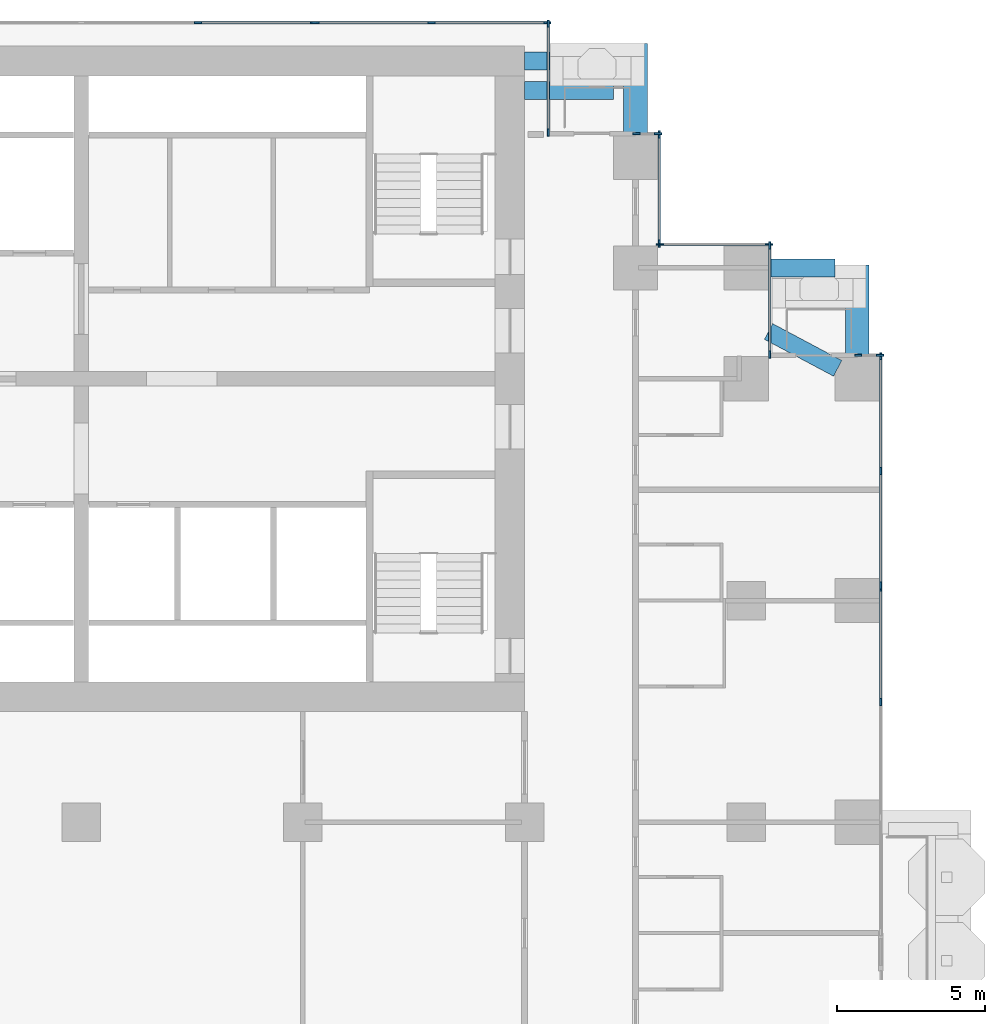
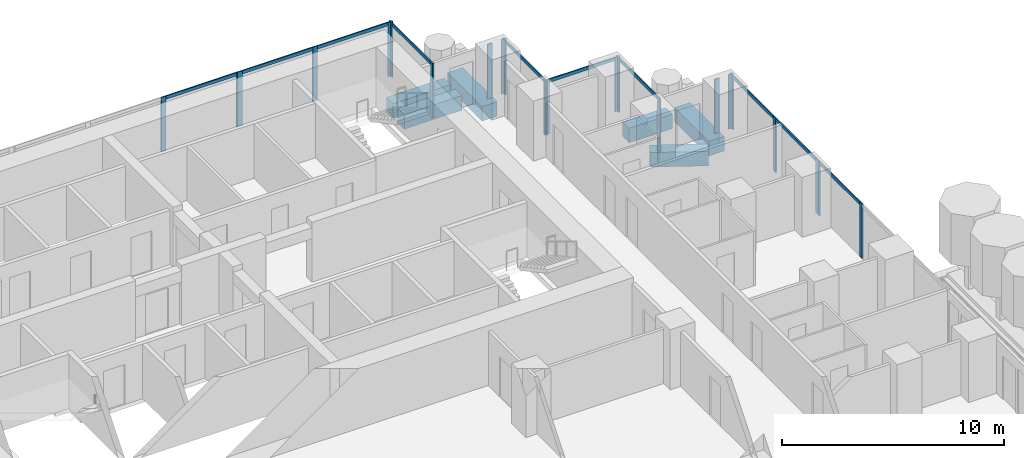
# One storey, part 6 of 19: 32 members, 6 beams, 10 elements without a shape of their own.
"""IFC4 building model written with IfcOpenShell, lengths in metres."""

from ifc_helpers import new_model, si_unit, direction, frame, origin, origin_2d, place, context, subcontext, project, spatial, rectangle, extrude, material, material_profile, profile_set, type_object, element, aggregate, save


model = new_model("IFC4")

# Units and contexts
model_context = context("Model", 3, precision=1e-05, world=origin(), true_north=direction((0.0, 1.0)))
body_context = subcontext(model_context, "Body", "Model", "MODEL_VIEW")
ifc_project = project(units=[si_unit("LENGTHUNIT", "METRE"), si_unit("AREAUNIT", "SQUARE_METRE"), si_unit("VOLUMEUNIT", "CUBIC_METRE"), si_unit("PLANEANGLEUNIT", "RADIAN"), si_unit("MASSUNIT", "GRAM", prefix="KILO")], contexts=[model_context])

# Site, building, storey
site_placement = place(None, origin())
site = spatial("IfcSite", under=ifc_project, at=site_placement, CompositionType="ELEMENT")
building_placement = place(site_placement, origin())
building = spatial("IfcBuilding", under=site, at=building_placement, Name="Pilkhan Gate Tower", CompositionType="ELEMENT")
storey_placement = place(building_placement, frame((0.0, 0.0, 95.60009765625)))
storey = spatial("IfcBuildingStorey", under=building, at=storey_placement, Name="L23", CompositionType="ELEMENT", Elevation=95.60009765625)

# Beams
ifc_material_1 = material(Name="Concrete C50/60", Category="concrete")
ifc_material_profile_1 = material_profile(ifc_material_1, rectangle(XDim=0.60009765625, YDim=0.800048828125, at=origin_2d()), Name="RC 600x800")
ifc_profile_set_1 = profile_set([ifc_material_profile_1], Name="Concrete C50/60")
beam_type_1 = type_object("IfcBeamType", Name="Cantilever beam CB1 RC 600x800 C50/60", PredefinedType="BEAM", material=ifc_profile_set_1)
for number, where, z_axis, x_axis, name in (
    (1, (90.0, 93.25, -0.7001953125), (1.0, 0.0, 0.0), (0.0, 1.0, 0.0), "Balcony beam NE.2 L23"),
    (2, (90.0, 92.25, -0.7001953125), (1.0, 0.0, 0.0), (0.0, 1.0, 0.0), "Balcony beam NE.3 L23"),
):
    element("IfcBeam", number, at=place(storey_placement, frame(where, z_axis=z_axis, x_axis=x_axis)), inside=storey, type_object=beam_type_1, Name=name, PredefinedType="BEAM", context=body_context, shape_type="SweptSolid", body=[
        extrude(rectangle(XDim=0.60009765625, YDim=0.800048828125, at=origin_2d()), origin(), (0.0, 0.0, 1.0), 3.0),
    ])
beam_1_placement = place(storey_placement, frame((98.25, 86.25, -0.7001953125), z_axis=(1.0, 0.0, 0.0), x_axis=(0.0, 1.0, 0.0)))
element("IfcBeam", 3, at=beam_1_placement, inside=storey, type_object=beam_type_1, Name="Balcony beam NE2.2 L23", PredefinedType="BEAM", context=body_context, shape_type="SweptSolid", body=[
    extrude(rectangle(XDim=0.60009765625, YDim=0.800048828125, at=origin_2d()), origin(), (0.0, 0.0, 1.0), 2.25),
])
beam_2_placement = place(storey_placement, frame((100.588134765625, 82.85302734375, -0.7001953125), z_axis=(-0.882342739565, 0.470607362817, 0.0), x_axis=(-0.470607362817, -0.882342739565, 0.0)))
element("IfcBeam", 4, at=beam_2_placement, inside=storey, type_object=beam_type_1, Name="Balcony beam NE2.3 L23", PredefinedType="BEAM", context=body_context, shape_type="SweptSolid", body=[
    extrude(rectangle(XDim=0.60009765625, YDim=0.800048828125, at=origin_2d()), origin(), (0.0, 0.0, 1.0), 2.64990234375),
])
ifc_material_profile_2 = material_profile(ifc_material_1, rectangle(XDim=0.800048828125, YDim=0.800048828125, at=origin_2d()), Name="RC 800x800")
ifc_profile_set_2 = profile_set([ifc_material_profile_2], Name="Concrete C50/60")
beam_type_2 = type_object("IfcBeamType", Name="Cantilever beam CB2 RC 800x800 C50/60", PredefinedType="BEAM", material=ifc_profile_set_2)
for number, where, z_axis, x_axis, name in (
    (5, (93.75, 90.75, -0.7001953125), (0.0, 1.0, 0.0), (-1.0, 0.0, 0.0), "Balcony beam NE.1 L23"),
    (6, (101.25, 83.25, -0.7001953125), (0.0, 1.0, 0.0), (-1.0, 0.0, 0.0), "Balcony beam NE2.1 L23"),
):
    element("IfcBeam", number, at=place(storey_placement, frame(where, z_axis=z_axis, x_axis=x_axis)), inside=storey, type_object=beam_type_2, Name=name, PredefinedType="BEAM", context=body_context, shape_type="SweptSolid", body=[
        extrude(rectangle(XDim=0.800048828125, YDim=0.800048828125, at=origin_2d()), origin(), (0.0, 0.0, 1.0), 3.10009765625),
    ])

# Curtain wall, members
ifc_material_2 = material(Name="Pale anodised aluminium, clear low-iron double glazing", Category="aluminium")
curtain_wall_type = type_object("IfcCurtainWallType", Name="Hotel unitised curtain wall CW-H", PredefinedType="USERDEFINED", material=ifc_material_2)
curtain_wall_1_placement = place(storey_placement, origin())
curtain_wall_1 = element("IfcCurtainWall", 7, at=curtain_wall_1_placement, inside=storey, type_object=curtain_wall_type, Name="Hotel unitised curtain wall CW-H L23 E", ObjectType="UNITISED CURTAIN WALL", PredefinedType="USERDEFINED")
ifc_material_3 = material(Name="Pale anodised aluminium", Category="aluminium")
ifc_material_profile_3 = material_profile(ifc_material_3, rectangle(XDim=0.06494140625, YDim=0.25, at=origin_2d()), Name="Mullion 250x65")
ifc_profile_set_3 = profile_set([ifc_material_profile_3], Name="Pale anodised aluminium")
member_type_1 = type_object("IfcMemberType", Name="Mullion CW-H 250x65", PredefinedType="MULLION", material=ifc_profile_set_3)
member_1_placement = place(storey_placement, frame((102.044921875, 71.568115234375, 0.0), z_axis=(0.0, 0.0, 1.0), x_axis=(-1.0, 0.0, 0.0)))
member_1 = element("IfcMember", 8, at=member_1_placement, type_object=member_type_1, Name="CW-H mullion 3", PredefinedType="MULLION", context=body_context, shape_type="SweptSolid", body=[
    extrude(rectangle(XDim=0.06494140625, YDim=0.25, at=origin_2d()), origin(), (0.0, 0.0, 1.0), 3.0),
])
member_2_placement = place(storey_placement, frame((102.044921875, 75.444580078125, 0.0), z_axis=(0.0, 0.0, 1.0), x_axis=(-1.0, 0.0, 0.0)))
member_2 = element("IfcMember", 9, at=member_2_placement, type_object=member_type_1, Name="CW-H mullion 4", PredefinedType="MULLION", context=body_context, shape_type="SweptSolid", body=[
    extrude(rectangle(XDim=0.06494140625, YDim=0.25, at=origin_2d()), origin(), (0.0, 0.0, 1.0), 3.0),
])

curtain_wall_2_placement = place(storey_placement, origin())
curtain_wall_2 = element("IfcCurtainWall", 10, at=curtain_wall_2_placement, inside=storey, type_object=curtain_wall_type, Name="Hotel unitised curtain wall CW-H L23 E", ObjectType="UNITISED CURTAIN WALL", PredefinedType="USERDEFINED")
member_3_placement = place(storey_placement, frame((102.044921875, 75.509521484375, 0.0), z_axis=(0.0, 0.0, 1.0), x_axis=(-1.0, 0.0, 0.0)))
member_3 = element("IfcMember", 11, at=member_3_placement, type_object=member_type_1, Name="CW-H mullion 1", PredefinedType="MULLION", context=body_context, shape_type="SweptSolid", body=[
    extrude(rectangle(XDim=0.06494140625, YDim=0.25, at=origin_2d()), origin(), (0.0, 0.0, 1.0), 3.0),
])
member_4_placement = place(storey_placement, frame((102.044921875, 79.385986328125, 0.0), z_axis=(0.0, 0.0, 1.0), x_axis=(-1.0, 0.0, 0.0)))
member_4 = element("IfcMember", 12, at=member_4_placement, type_object=member_type_1, Name="CW-H mullion 2", PredefinedType="MULLION", context=body_context, shape_type="SweptSolid", body=[
    extrude(rectangle(XDim=0.06494140625, YDim=0.25, at=origin_2d()), origin(), (0.0, 0.0, 1.0), 3.0),
])
member_5_placement = place(storey_placement, frame((102.044921875, 83.262451171875, 0.0), z_axis=(0.0, 0.0, 1.0), x_axis=(-1.0, 0.0, 0.0)))
member_5 = element("IfcMember", 13, at=member_5_placement, type_object=member_type_1, Name="CW-H mullion 3", PredefinedType="MULLION", context=body_context, shape_type="SweptSolid", body=[
    extrude(rectangle(XDim=0.06494140625, YDim=0.25, at=origin_2d()), origin(), (0.0, 0.0, 1.0), 3.0),
])

curtain_wall_3_placement = place(storey_placement, origin())
curtain_wall_3 = element("IfcCurtainWall", 14, at=curtain_wall_3_placement, inside=storey, type_object=curtain_wall_type, Name="Hotel unitised curtain wall CW-H L23 N", ObjectType="UNITISED CURTAIN WALL", PredefinedType="USERDEFINED")
member_6_placement = place(storey_placement, frame((101.282470703125, 83.294921875, 0.0), z_axis=(0.0, 0.0, 1.0), x_axis=(0.0, 1.0, 0.0)))
member_6 = element("IfcMember", 15, at=member_6_placement, type_object=member_type_1, Name="CW-H mullion 1", PredefinedType="MULLION", context=body_context, shape_type="SweptSolid", body=[
    extrude(rectangle(XDim=0.06494140625, YDim=0.25, at=origin_2d()), origin(), (0.0, 0.0, 1.0), 3.0),
])
member_7_placement = place(storey_placement, frame((102.012451171875, 83.294921875, 0.0), z_axis=(0.0, 0.0, 1.0), x_axis=(0.0, 1.0, 0.0)))
member_7 = element("IfcMember", 16, at=member_7_placement, type_object=member_type_1, Name="CW-H mullion 2", PredefinedType="MULLION", context=body_context, shape_type="SweptSolid", body=[
    extrude(rectangle(XDim=0.06494140625, YDim=0.25, at=origin_2d()), origin(), (0.0, 0.0, 1.0), 3.0),
])
aggregate(curtain_wall_3, [member_6, member_7])

curtain_wall_4_placement = place(storey_placement, origin())
curtain_wall_4 = element("IfcCurtainWall", 17, at=curtain_wall_4_placement, inside=storey, type_object=curtain_wall_type, Name="Hotel unitised curtain wall CW-H L23 E", ObjectType="UNITISED CURTAIN WALL", PredefinedType="USERDEFINED")
member_8_placement = place(storey_placement, frame((98.294921875, 83.327392578125, 0.0), z_axis=(0.0, 0.0, 1.0), x_axis=(-1.0, 0.0, 0.0)))
member_8 = element("IfcMember", 18, at=member_8_placement, type_object=member_type_1, Name="CW-H mullion 1", PredefinedType="MULLION", context=body_context, shape_type="SweptSolid", body=[
    extrude(rectangle(XDim=0.06494140625, YDim=0.25, at=origin_2d()), origin(), (0.0, 0.0, 1.0), 3.0),
])
member_9_placement = place(storey_placement, frame((98.294921875, 87.012451171875, 0.0), z_axis=(0.0, 0.0, 1.0), x_axis=(-1.0, 0.0, 0.0)))
member_9 = element("IfcMember", 19, at=member_9_placement, type_object=member_type_1, Name="CW-H mullion 2", PredefinedType="MULLION", context=body_context, shape_type="SweptSolid", body=[
    extrude(rectangle(XDim=0.06494140625, YDim=0.25, at=origin_2d()), origin(), (0.0, 0.0, 1.0), 3.0),
])

curtain_wall_5_placement = place(storey_placement, origin())
curtain_wall_5 = element("IfcCurtainWall", 20, at=curtain_wall_5_placement, inside=storey, type_object=curtain_wall_type, Name="Hotel unitised curtain wall CW-H L23 N", ObjectType="UNITISED CURTAIN WALL", PredefinedType="USERDEFINED")
member_10_placement = place(storey_placement, frame((94.577392578125, 87.044921875, 0.0), z_axis=(0.0, 0.0, 1.0), x_axis=(0.0, 1.0, 0.0)))
member_10 = element("IfcMember", 21, at=member_10_placement, type_object=member_type_1, Name="CW-H mullion 1", PredefinedType="MULLION", context=body_context, shape_type="SweptSolid", body=[
    extrude(rectangle(XDim=0.06494140625, YDim=0.25, at=origin_2d()), origin(), (0.0, 0.0, 1.0), 3.0),
])
member_11_placement = place(storey_placement, frame((98.262451171875, 87.044921875, 0.0), z_axis=(0.0, 0.0, 1.0), x_axis=(0.0, 1.0, 0.0)))
member_11 = element("IfcMember", 22, at=member_11_placement, type_object=member_type_1, Name="CW-H mullion 2", PredefinedType="MULLION", context=body_context, shape_type="SweptSolid", body=[
    extrude(rectangle(XDim=0.06494140625, YDim=0.25, at=origin_2d()), origin(), (0.0, 0.0, 1.0), 3.0),
])

curtain_wall_6_placement = place(storey_placement, origin())
curtain_wall_6 = element("IfcCurtainWall", 23, at=curtain_wall_6_placement, inside=storey, type_object=curtain_wall_type, Name="Hotel unitised curtain wall CW-H L23 E", ObjectType="UNITISED CURTAIN WALL", PredefinedType="USERDEFINED")
member_12_placement = place(storey_placement, frame((94.544921875, 87.077392578125, 0.0), z_axis=(0.0, 0.0, 1.0), x_axis=(-1.0, 0.0, 0.0)))
member_12 = element("IfcMember", 24, at=member_12_placement, type_object=member_type_1, Name="CW-H mullion 1", PredefinedType="MULLION", context=body_context, shape_type="SweptSolid", body=[
    extrude(rectangle(XDim=0.06494140625, YDim=0.25, at=origin_2d()), origin(), (0.0, 0.0, 1.0), 3.0),
])
member_13_placement = place(storey_placement, frame((94.544921875, 90.762451171875, 0.0), z_axis=(0.0, 0.0, 1.0), x_axis=(-1.0, 0.0, 0.0)))
member_13 = element("IfcMember", 25, at=member_13_placement, type_object=member_type_1, Name="CW-H mullion 2", PredefinedType="MULLION", context=body_context, shape_type="SweptSolid", body=[
    extrude(rectangle(XDim=0.06494140625, YDim=0.25, at=origin_2d()), origin(), (0.0, 0.0, 1.0), 3.0),
])

curtain_wall_7_placement = place(storey_placement, origin())
curtain_wall_7 = element("IfcCurtainWall", 26, at=curtain_wall_7_placement, inside=storey, type_object=curtain_wall_type, Name="Hotel unitised curtain wall CW-H L23 N", ObjectType="UNITISED CURTAIN WALL", PredefinedType="USERDEFINED")
member_14_placement = place(storey_placement, frame((93.782470703125, 90.794921875, 0.0), z_axis=(0.0, 0.0, 1.0), x_axis=(0.0, 1.0, 0.0)))
member_14 = element("IfcMember", 27, at=member_14_placement, type_object=member_type_1, Name="CW-H mullion 1", PredefinedType="MULLION", context=body_context, shape_type="SweptSolid", body=[
    extrude(rectangle(XDim=0.06494140625, YDim=0.25, at=origin_2d()), origin(), (0.0, 0.0, 1.0), 3.0),
])
member_15_placement = place(storey_placement, frame((94.512451171875, 90.794921875, 0.0), z_axis=(0.0, 0.0, 1.0), x_axis=(0.0, 1.0, 0.0)))
member_15 = element("IfcMember", 28, at=member_15_placement, type_object=member_type_1, Name="CW-H mullion 2", PredefinedType="MULLION", context=body_context, shape_type="SweptSolid", body=[
    extrude(rectangle(XDim=0.06494140625, YDim=0.25, at=origin_2d()), origin(), (0.0, 0.0, 1.0), 3.0),
])
aggregate(curtain_wall_7, [member_14, member_15])

curtain_wall_8_placement = place(storey_placement, origin())
curtain_wall_8 = element("IfcCurtainWall", 29, at=curtain_wall_8_placement, inside=storey, type_object=curtain_wall_type, Name="Hotel unitised curtain wall CW-H L23 E", ObjectType="UNITISED CURTAIN WALL", PredefinedType="USERDEFINED")
member_16_placement = place(storey_placement, frame((90.794921875, 90.827392578125, 0.0), z_axis=(0.0, 0.0, 1.0), x_axis=(-1.0, 0.0, 0.0)))
member_16 = element("IfcMember", 30, at=member_16_placement, type_object=member_type_1, Name="CW-H mullion 1", PredefinedType="MULLION", context=body_context, shape_type="SweptSolid", body=[
    extrude(rectangle(XDim=0.06494140625, YDim=0.25, at=origin_2d()), origin(), (0.0, 0.0, 1.0), 3.0),
])
member_17_placement = place(storey_placement, frame((90.794921875, 94.512451171875, 0.0), z_axis=(0.0, 0.0, 1.0), x_axis=(-1.0, 0.0, 0.0)))
member_17 = element("IfcMember", 31, at=member_17_placement, type_object=member_type_1, Name="CW-H mullion 2", PredefinedType="MULLION", context=body_context, shape_type="SweptSolid", body=[
    extrude(rectangle(XDim=0.06494140625, YDim=0.25, at=origin_2d()), origin(), (0.0, 0.0, 1.0), 3.0),
])

curtain_wall_9_placement = place(storey_placement, origin())
curtain_wall_9 = element("IfcCurtainWall", 32, at=curtain_wall_9_placement, inside=storey, type_object=curtain_wall_type, Name="Hotel unitised curtain wall CW-H L23 N", ObjectType="UNITISED CURTAIN WALL", PredefinedType="USERDEFINED")
member_18_placement = place(storey_placement, frame((78.94873046875, 94.544921875, 0.0), z_axis=(0.0, 0.0, 1.0), x_axis=(0.0, 1.0, 0.0)))
member_18 = element("IfcMember", 33, at=member_18_placement, type_object=member_type_1, Name="CW-H mullion 3", PredefinedType="MULLION", context=body_context, shape_type="SweptSolid", body=[
    extrude(rectangle(XDim=0.06494140625, YDim=0.25, at=origin_2d()), origin(), (0.0, 0.0, 1.0), 3.0),
])
member_19_placement = place(storey_placement, frame((82.864990234375, 94.544921875, 0.0), z_axis=(0.0, 0.0, 1.0), x_axis=(0.0, 1.0, 0.0)))
member_19 = element("IfcMember", 34, at=member_19_placement, type_object=member_type_1, Name="CW-H mullion 4", PredefinedType="MULLION", context=body_context, shape_type="SweptSolid", body=[
    extrude(rectangle(XDim=0.06494140625, YDim=0.25, at=origin_2d()), origin(), (0.0, 0.0, 1.0), 3.0),
])

curtain_wall_10_placement = place(storey_placement, origin())
curtain_wall_10 = element("IfcCurtainWall", 35, at=curtain_wall_10_placement, inside=storey, type_object=curtain_wall_type, Name="Hotel unitised curtain wall CW-H L23 N", ObjectType="UNITISED CURTAIN WALL", PredefinedType="USERDEFINED")
member_20_placement = place(storey_placement, frame((82.929931640625, 94.544921875, 0.0), z_axis=(0.0, 0.0, 1.0), x_axis=(0.0, 1.0, 0.0)))
member_20 = element("IfcMember", 36, at=member_20_placement, type_object=member_type_1, Name="CW-H mullion 1", PredefinedType="MULLION", context=body_context, shape_type="SweptSolid", body=[
    extrude(rectangle(XDim=0.06494140625, YDim=0.25, at=origin_2d()), origin(), (0.0, 0.0, 1.0), 3.0),
])
member_21_placement = place(storey_placement, frame((86.84619140625, 94.544921875, 0.0), z_axis=(0.0, 0.0, 1.0), x_axis=(0.0, 1.0, 0.0)))
member_21 = element("IfcMember", 37, at=member_21_placement, type_object=member_type_1, Name="CW-H mullion 2", PredefinedType="MULLION", context=body_context, shape_type="SweptSolid", body=[
    extrude(rectangle(XDim=0.06494140625, YDim=0.25, at=origin_2d()), origin(), (0.0, 0.0, 1.0), 3.0),
])
member_22_placement = place(storey_placement, frame((90.762451171875, 94.544921875, 0.0), z_axis=(0.0, 0.0, 1.0), x_axis=(0.0, 1.0, 0.0)))
member_22 = element("IfcMember", 38, at=member_22_placement, type_object=member_type_1, Name="CW-H mullion 3", PredefinedType="MULLION", context=body_context, shape_type="SweptSolid", body=[
    extrude(rectangle(XDim=0.06494140625, YDim=0.25, at=origin_2d()), origin(), (0.0, 0.0, 1.0), 3.0),
])

# Member
ifc_material_profile_4 = material_profile(ifc_material_3, rectangle(XDim=0.06494140625, YDim=0.179931640625, at=origin_2d()), Name="Transom 180x65")
ifc_profile_set_4 = profile_set([ifc_material_profile_4], Name="Pale anodised aluminium")
member_type_2 = type_object("IfcMemberType", Name="Transom CW-H 180x65", PredefinedType="USERDEFINED", material=ifc_profile_set_4)
member_23_placement = place(storey_placement, frame((102.044921875, 71.6005859375, 2.909912109375), z_axis=(0.0, 1.0, 0.0), x_axis=(-1.0, 0.0, 0.0)))
member_23 = element("IfcMember", 39, at=member_23_placement, type_object=member_type_2, Name="CW-H transom 3", ObjectType="TRANSOM", PredefinedType="USERDEFINED", context=body_context, shape_type="SweptSolid", body=[
    extrude(rectangle(XDim=0.06494140625, YDim=0.179931640625, at=origin_2d()), origin(), (0.0, 0.0, 1.0), 3.8115234375),
])

aggregate(curtain_wall_1, [member_1, member_2, member_23])

member_24_placement = place(storey_placement, frame((102.044921875, 75.5419921875, 2.909912109375), z_axis=(0.0, 1.0, 0.0), x_axis=(-1.0, 0.0, 0.0)))
member_24 = element("IfcMember", 40, at=member_24_placement, type_object=member_type_2, Name="CW-H transom 1", ObjectType="TRANSOM", PredefinedType="USERDEFINED", context=body_context, shape_type="SweptSolid", body=[
    extrude(rectangle(XDim=0.06494140625, YDim=0.179931640625, at=origin_2d()), origin(), (0.0, 0.0, 1.0), 3.8115234375),
])

member_25_placement = place(storey_placement, frame((102.044921875, 79.41845703125, 2.909912109375), z_axis=(0.0, 1.0, 0.0), x_axis=(-1.0, 0.0, 0.0)))
member_25 = element("IfcMember", 41, at=member_25_placement, type_object=member_type_2, Name="CW-H transom 2", ObjectType="TRANSOM", PredefinedType="USERDEFINED", context=body_context, shape_type="SweptSolid", body=[
    extrude(rectangle(XDim=0.06494140625, YDim=0.179931640625, at=origin_2d()), origin(), (0.0, 0.0, 1.0), 3.8115234375),
])

aggregate(curtain_wall_2, [member_3, member_4, member_5, member_24, member_25])

member_26_placement = place(storey_placement, frame((98.294921875, 83.360107421875, 2.909912109375), z_axis=(0.0, 1.0, 0.0), x_axis=(-1.0, 0.0, 0.0)))
member_26 = element("IfcMember", 42, at=member_26_placement, type_object=member_type_2, Name="CW-H transom 1", ObjectType="TRANSOM", PredefinedType="USERDEFINED", context=body_context, shape_type="SweptSolid", body=[
    extrude(rectangle(XDim=0.06494140625, YDim=0.179931640625, at=origin_2d()), origin(), (0.0, 0.0, 1.0), 3.619873046875),
])

aggregate(curtain_wall_4, [member_8, member_9, member_26])

member_27_placement = place(storey_placement, frame((94.610107421875, 87.044921875, 2.909912109375), z_axis=(1.0, 0.0, 0.0), x_axis=(0.0, 1.0, 0.0)))
member_27 = element("IfcMember", 43, at=member_27_placement, type_object=member_type_2, Name="CW-H transom 1", ObjectType="TRANSOM", PredefinedType="USERDEFINED", context=body_context, shape_type="SweptSolid", body=[
    extrude(rectangle(XDim=0.06494140625, YDim=0.179931640625, at=origin_2d()), origin(), (0.0, 0.0, 1.0), 3.619873046875),
])

aggregate(curtain_wall_5, [member_10, member_11, member_27])

member_28_placement = place(storey_placement, frame((94.544921875, 87.110107421875, 2.909912109375), z_axis=(0.0, 1.0, 0.0), x_axis=(-1.0, 0.0, 0.0)))
member_28 = element("IfcMember", 44, at=member_28_placement, type_object=member_type_2, Name="CW-H transom 1", ObjectType="TRANSOM", PredefinedType="USERDEFINED", context=body_context, shape_type="SweptSolid", body=[
    extrude(rectangle(XDim=0.06494140625, YDim=0.179931640625, at=origin_2d()), origin(), (0.0, 0.0, 1.0), 3.619873046875),
])

aggregate(curtain_wall_6, [member_12, member_13, member_28])

member_29_placement = place(storey_placement, frame((90.794921875, 90.860107421875, 2.909912109375), z_axis=(0.0, 1.0, 0.0), x_axis=(-1.0, 0.0, 0.0)))
member_29 = element("IfcMember", 45, at=member_29_placement, type_object=member_type_2, Name="CW-H transom 1", ObjectType="TRANSOM", PredefinedType="USERDEFINED", context=body_context, shape_type="SweptSolid", body=[
    extrude(rectangle(XDim=0.06494140625, YDim=0.179931640625, at=origin_2d()), origin(), (0.0, 0.0, 1.0), 3.619873046875),
])

aggregate(curtain_wall_8, [member_16, member_17, member_29])

member_30_placement = place(storey_placement, frame((78.981201171875, 94.544921875, 2.909912109375), z_axis=(1.0, 0.0, 0.0), x_axis=(0.0, 1.0, 0.0)))
member_30 = element("IfcMember", 46, at=member_30_placement, type_object=member_type_2, Name="CW-H transom 3", ObjectType="TRANSOM", PredefinedType="USERDEFINED", context=body_context, shape_type="SweptSolid", body=[
    extrude(rectangle(XDim=0.06494140625, YDim=0.179931640625, at=origin_2d()), origin(), (0.0, 0.0, 1.0), 3.851318359375),
])

aggregate(curtain_wall_9, [member_18, member_19, member_30])

member_31_placement = place(storey_placement, frame((82.96240234375, 94.544921875, 2.909912109375), z_axis=(1.0, 0.0, 0.0), x_axis=(0.0, 1.0, 0.0)))
member_31 = element("IfcMember", 47, at=member_31_placement, type_object=member_type_2, Name="CW-H transom 1", ObjectType="TRANSOM", PredefinedType="USERDEFINED", context=body_context, shape_type="SweptSolid", body=[
    extrude(rectangle(XDim=0.06494140625, YDim=0.179931640625, at=origin_2d()), origin(), (0.0, 0.0, 1.0), 3.851318359375),
])

member_32_placement = place(storey_placement, frame((86.878662109375, 94.544921875, 2.909912109375), z_axis=(1.0, 0.0, 0.0), x_axis=(0.0, 1.0, 0.0)))
member_32 = element("IfcMember", 48, at=member_32_placement, type_object=member_type_2, Name="CW-H transom 2", ObjectType="TRANSOM", PredefinedType="USERDEFINED", context=body_context, shape_type="SweptSolid", body=[
    extrude(rectangle(XDim=0.06494140625, YDim=0.179931640625, at=origin_2d()), origin(), (0.0, 0.0, 1.0), 3.851318359375),
])

aggregate(curtain_wall_10, [member_20, member_21, member_22, member_31, member_32])

save(model, "model.ifc")
